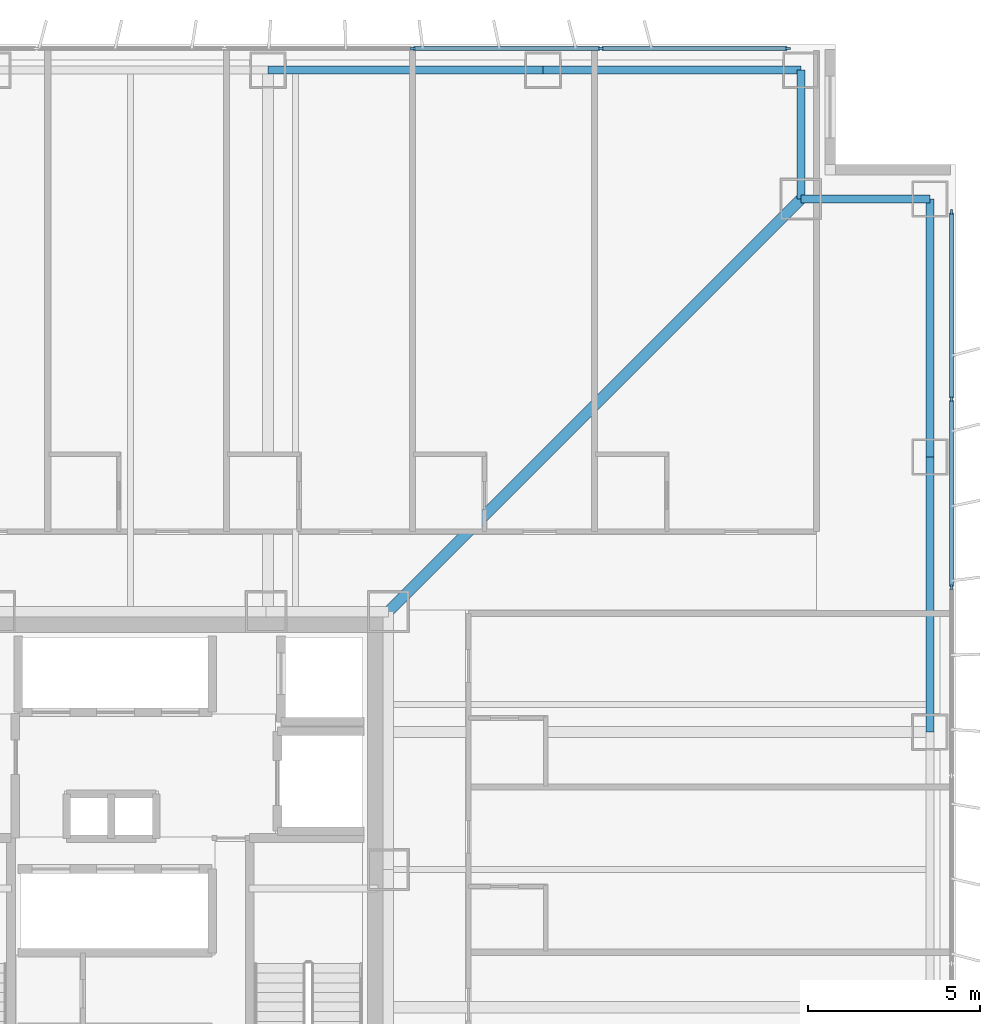
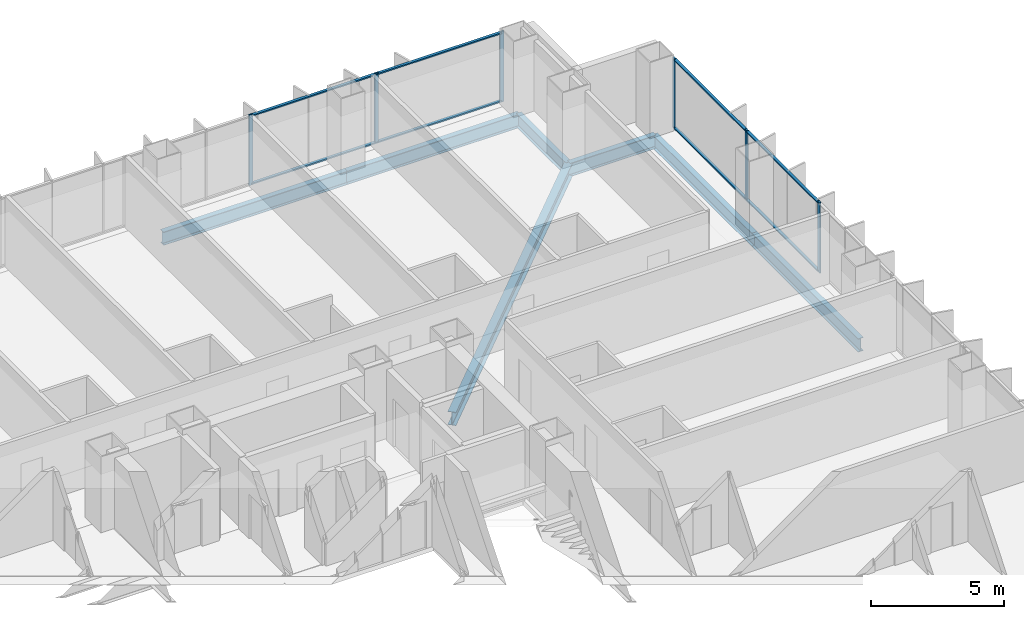
# One storey, part 9 of 17: 14 members, 7 beams, 2 elements without a shape of their own.
"""IFC4 building model written with IfcOpenShell, lengths in metres."""

from ifc_helpers import new_model, si_unit, direction, frame, origin, origin_2d, place, context, subcontext, project, spatial, rectangle, i_section, extrude, material, layer, layer_set, material_profile, profile_set, type_object, element, aggregate, save


model = new_model("IFC4")

# Units and contexts
model_context = context("Model", 3, precision=1e-05, world=origin(), true_north=direction((0.0, 1.0)))
body_context = subcontext(model_context, "Body", "Model", "MODEL_VIEW")
ifc_project = project(units=[si_unit("LENGTHUNIT", "METRE"), si_unit("AREAUNIT", "SQUARE_METRE"), si_unit("VOLUMEUNIT", "CUBIC_METRE"), si_unit("PLANEANGLEUNIT", "RADIAN"), si_unit("MASSUNIT", "GRAM", prefix="KILO")], contexts=[model_context])

# Site, building, storey
site_placement = place(None, origin())
site = spatial("IfcSite", under=ifc_project, at=site_placement, CompositionType="ELEMENT")
building_placement = place(site_placement, origin())
building = spatial("IfcBuilding", under=site, at=building_placement, Name="Trevonay Congress Spire", CompositionType="ELEMENT")
storey_placement = place(building_placement, frame((0.0, 0.0, 69.0)))
storey = spatial("IfcBuildingStorey", under=building, at=storey_placement, Name="L17", CompositionType="ELEMENT", Elevation=69.0)

# Beams
ifc_material_1 = material(Name="Steel ASTM A572 Grade 50", Category="steel")
ifc_material_profile_1 = material_profile(ifc_material_1, i_section(OverallWidth=0.324951171875, OverallDepth=0.615966796875, WebThickness=0.013916015625, FlangeThickness=0.021484375, FilletRadius=0.01806640625, at=origin_2d()), Name="W610x174")
ifc_profile_set_1 = profile_set([ifc_material_profile_1], Name="Steel ASTM A572 Grade 50")
beam_type_1 = type_object("IfcBeamType", Name="BM-GIRD-W610X174", PredefinedType="BEAM", material=ifc_profile_set_1)
beam_placement = place(storey_placement, frame((7.5, 7.5, -0.55810546875), z_axis=(0.707106781187, 0.707106781187, 0.0), x_axis=(-0.707106781187, 0.707106781187, 0.0)))
element("IfcBeam", 1, at=beam_placement, inside=storey, type_object=beam_type_1, Name="L17 structural beam BM-L17-CDNE", PredefinedType="BEAM", context=body_context, shape_type="SweptSolid", body=[
    extrude(i_section(OverallWidth=0.324951171875, OverallDepth=0.615966796875, WebThickness=0.013916015625, FlangeThickness=0.021484375, FilletRadius=0.01806640625, at=origin_2d()), origin(), (0.0, 0.0, 1.0), 16.970458984375),
])
ifc_material_profile_2 = material_profile(ifc_material_1, i_section(OverallWidth=0.22998046875, OverallDepth=0.616943359375, WebThickness=0.01318359375, FlangeThickness=0.022216796875, FilletRadius=0.01611328125, at=origin_2d()), Name="W610x140")
ifc_profile_set_2 = profile_set([ifc_material_profile_2], Name="Steel ASTM A572 Grade 50")
beam_type_2 = type_object("IfcBeamType", Name="BM-RING-W610X140", PredefinedType="BEAM", material=ifc_profile_set_2)
for number, where, z_axis, x_axis, name in (
    (2, (4.0, 23.25, -0.55859375), (1.0, 0.0, 0.0), (0.0, 1.0, 0.0), "L17 structural beam BM-L17-PN4"),
    (3, (23.25, 4.0, -0.55859375), (0.0, 1.0, 0.0), (-1.0, 0.0, 0.0), "L17 structural beam BM-L17-PE4"),
):
    element("IfcBeam", number, at=place(storey_placement, frame(where, z_axis=z_axis, x_axis=x_axis)), inside=storey, type_object=beam_type_2, Name=name, PredefinedType="BEAM", context=body_context, shape_type="SweptSolid", body=[
        extrude(i_section(OverallWidth=0.22998046875, OverallDepth=0.616943359375, WebThickness=0.01318359375, FlangeThickness=0.022216796875, FilletRadius=0.01611328125, at=origin_2d()), origin(), (0.0, 0.0, 1.0), 8.0),
    ])
for number, where, z_axis, x_axis, name in (
    (4, (12.0, 23.25, -0.55859375), (1.0, 0.0, 0.0), (0.0, 1.0, 0.0), "L17 structural beam BM-L17-PN5"),
    (5, (23.25, 12.0, -0.55859375), (0.0, 1.0, 0.0), (-1.0, 0.0, 0.0), "L17 structural beam BM-L17-PE5"),
):
    element("IfcBeam", number, at=place(storey_placement, frame(where, z_axis=z_axis, x_axis=x_axis)), inside=storey, type_object=beam_type_2, Name=name, PredefinedType="BEAM", context=body_context, shape_type="SweptSolid", body=[
        extrude(i_section(OverallWidth=0.22998046875, OverallDepth=0.616943359375, WebThickness=0.01318359375, FlangeThickness=0.022216796875, FilletRadius=0.01611328125, at=origin_2d()), origin(), (0.0, 0.0, 1.0), 7.5),
    ])
for number, where, z_axis, x_axis, name in (
    (6, (19.5, 23.25, -0.55859375), (0.0, -1.0, 0.0), (1.0, 0.0, 0.0), "L17 structural beam BM-L17-N1NE"),
    (7, (23.25, 19.5, -0.55859375), (-1.0, 0.0, 0.0), (0.0, -1.0, 0.0), "L17 structural beam BM-L17-N2NE"),
):
    element("IfcBeam", number, at=place(storey_placement, frame(where, z_axis=z_axis, x_axis=x_axis)), inside=storey, type_object=beam_type_2, Name=name, PredefinedType="BEAM", context=body_context, shape_type="SweptSolid", body=[
        extrude(i_section(OverallWidth=0.22998046875, OverallDepth=0.616943359375, WebThickness=0.01318359375, FlangeThickness=0.022216796875, FilletRadius=0.01611328125, at=origin_2d()), origin(), (0.0, 0.0, 1.0), 3.75),
    ])

# Curtain wall, members
ifc_material_2 = material(Name="Pale Anodised Aluminium EN AW-6063-T6", Category="aluminium")
ifc_layer = layer(ifc_material_2, 0.179931640625, Name="Pale Anodised Aluminium EN AW-6063-T6")
ifc_layer_set = layer_set([ifc_layer], Name="Pale Anodised Aluminium EN AW-6063-T6")
curtain_wall_type = type_object("IfcCurtainWallType", Name="CW-SYS02-HOTEL-PALE-METAL", PredefinedType="NOTDEFINED", material=ifc_layer_set)
curtain_wall_1_placement = place(storey_placement, origin())
curtain_wall_1 = element("IfcCurtainWall", 8, at=curtain_wall_1_placement, inside=storey, type_object=curtain_wall_type, Name="L17 N unitised curtain wall", PredefinedType="NOTDEFINED")
ifc_material_profile_3 = material_profile(ifc_material_2, rectangle(XDim=0.06005859375, YDim=0.159912109375, at=origin_2d()), Name="CW-MULLION-160-ALUMINIUM")
ifc_profile_set_3 = profile_set([ifc_material_profile_3], Name="Pale Anodised Aluminium EN AW-6063-T6")
member_type_1 = type_object("IfcMemberType", Name="CW-MULLION-160-ALUMINIUM", PredefinedType="MULLION", material=ifc_profile_set_3)
member_1_placement = place(storey_placement, frame((8.20703125, 23.8798828125, 0.0), z_axis=(0.0, 0.0, 1.0), x_axis=(0.0, 1.0, 0.0)))
member_1 = element("IfcMember", 9, at=member_1_placement, type_object=member_type_1, Name="CW02 mullion 6", PredefinedType="MULLION", context=body_context, shape_type="SweptSolid", body=[
    extrude(rectangle(XDim=0.06005859375, YDim=0.159912109375, at=origin_2d()), origin(), (0.0, 0.0, 1.0), 3.25),
])
member_2_placement = place(storey_placement, frame((13.678466796875, 23.8798828125, 0.0), z_axis=(0.0, 0.0, 1.0), x_axis=(0.0, 1.0, 0.0)))
member_2 = element("IfcMember", 10, at=member_2_placement, type_object=member_type_1, Name="CW02 mullion 7", PredefinedType="MULLION", context=body_context, shape_type="SweptSolid", body=[
    extrude(rectangle(XDim=0.06005859375, YDim=0.159912109375, at=origin_2d()), origin(), (0.0, 0.0, 1.0), 3.25),
])
member_3_placement = place(storey_placement, frame((19.1201171875, 23.8798828125, 0.0), z_axis=(0.0, 0.0, 1.0), x_axis=(0.0, 1.0, 0.0)))
member_3 = element("IfcMember", 11, at=member_3_placement, type_object=member_type_1, Name="CW02 mullion 8", PredefinedType="MULLION", context=body_context, shape_type="SweptSolid", body=[
    extrude(rectangle(XDim=0.06005859375, YDim=0.159912109375, at=origin_2d()), origin(), (0.0, 0.0, 1.0), 3.25),
])

curtain_wall_2_placement = place(storey_placement, origin())
curtain_wall_2 = element("IfcCurtainWall", 12, at=curtain_wall_2_placement, inside=storey, type_object=curtain_wall_type, Name="L17 E unitised curtain wall", PredefinedType="NOTDEFINED")
member_4_placement = place(storey_placement, frame((23.8798828125, 8.20703125, 0.0), z_axis=(0.0, 0.0, 1.0), x_axis=(-1.0, 0.0, 0.0)))
member_4 = element("IfcMember", 13, at=member_4_placement, type_object=member_type_1, Name="CW02 mullion 6", PredefinedType="MULLION", context=body_context, shape_type="SweptSolid", body=[
    extrude(rectangle(XDim=0.06005859375, YDim=0.159912109375, at=origin_2d()), origin(), (0.0, 0.0, 1.0), 3.25),
])
member_5_placement = place(storey_placement, frame((23.8798828125, 13.678466796875, 0.0), z_axis=(0.0, 0.0, 1.0), x_axis=(-1.0, 0.0, 0.0)))
member_5 = element("IfcMember", 14, at=member_5_placement, type_object=member_type_1, Name="CW02 mullion 7", PredefinedType="MULLION", context=body_context, shape_type="SweptSolid", body=[
    extrude(rectangle(XDim=0.06005859375, YDim=0.159912109375, at=origin_2d()), origin(), (0.0, 0.0, 1.0), 3.25),
])
member_6_placement = place(storey_placement, frame((23.8798828125, 19.1201171875, 0.0), z_axis=(0.0, 0.0, 1.0), x_axis=(-1.0, 0.0, 0.0)))
member_6 = element("IfcMember", 15, at=member_6_placement, type_object=member_type_1, Name="CW02 mullion 8", PredefinedType="MULLION", context=body_context, shape_type="SweptSolid", body=[
    extrude(rectangle(XDim=0.06005859375, YDim=0.159912109375, at=origin_2d()), origin(), (0.0, 0.0, 1.0), 3.25),
])

# Member
ifc_material_profile_4 = material_profile(ifc_material_2, rectangle(XDim=0.1201171875, YDim=0.06005859375, at=origin_2d()), Name="CW-TRANSOM-120-ALUMINIUM")
ifc_profile_set_4 = profile_set([ifc_material_profile_4], Name="Pale Anodised Aluminium EN AW-6063-T6")
member_type_2 = type_object("IfcMemberType", Name="CW-TRANSOM-120-ALUMINIUM", PredefinedType="USERDEFINED", material=ifc_profile_set_4)
member_7_placement = place(storey_placement, frame((8.237060546875, 23.8798828125, 0.06005859375), z_axis=(1.0, 0.0, 0.0), x_axis=(0.0, 1.0, 0.0)))
member_7 = element("IfcMember", 16, at=member_7_placement, type_object=member_type_2, Name="CW02 transom 6.1", ObjectType="TRANSOM", PredefinedType="USERDEFINED", context=body_context, shape_type="SweptSolid", body=[
    extrude(rectangle(XDim=0.1201171875, YDim=0.06005859375, at=origin_2d()), origin(), (0.0, 0.0, 1.0), 5.41162109375),
])

member_8_placement = place(storey_placement, frame((8.237060546875, 23.8798828125, 3.18994140625), z_axis=(1.0, 0.0, 0.0), x_axis=(0.0, 1.0, 0.0)))
member_8 = element("IfcMember", 17, at=member_8_placement, type_object=member_type_2, Name="CW02 transom 6.2", ObjectType="TRANSOM", PredefinedType="USERDEFINED", context=body_context, shape_type="SweptSolid", body=[
    extrude(rectangle(XDim=0.1201171875, YDim=0.06005859375, at=origin_2d()), origin(), (0.0, 0.0, 1.0), 5.41162109375),
])

member_9_placement = place(storey_placement, frame((13.70849609375, 23.8798828125, 0.06005859375), z_axis=(1.0, 0.0, 0.0), x_axis=(0.0, 1.0, 0.0)))
member_9 = element("IfcMember", 18, at=member_9_placement, type_object=member_type_2, Name="CW02 transom 7.1", ObjectType="TRANSOM", PredefinedType="USERDEFINED", context=body_context, shape_type="SweptSolid", body=[
    extrude(rectangle(XDim=0.1201171875, YDim=0.06005859375, at=origin_2d()), origin(), (0.0, 0.0, 1.0), 5.381591796875),
])

member_10_placement = place(storey_placement, frame((13.70849609375, 23.8798828125, 3.18994140625), z_axis=(1.0, 0.0, 0.0), x_axis=(0.0, 1.0, 0.0)))
member_10 = element("IfcMember", 19, at=member_10_placement, type_object=member_type_2, Name="CW02 transom 7.2", ObjectType="TRANSOM", PredefinedType="USERDEFINED", context=body_context, shape_type="SweptSolid", body=[
    extrude(rectangle(XDim=0.1201171875, YDim=0.06005859375, at=origin_2d()), origin(), (0.0, 0.0, 1.0), 5.381591796875),
])

aggregate(curtain_wall_1, [member_1, member_2, member_3, member_7, member_8, member_9, member_10])

member_11_placement = place(storey_placement, frame((23.8798828125, 8.237060546875, 0.06005859375), z_axis=(0.0, 1.0, 0.0), x_axis=(-1.0, 0.0, 0.0)))
member_11 = element("IfcMember", 20, at=member_11_placement, type_object=member_type_2, Name="CW02 transom 6.1", ObjectType="TRANSOM", PredefinedType="USERDEFINED", context=body_context, shape_type="SweptSolid", body=[
    extrude(rectangle(XDim=0.1201171875, YDim=0.06005859375, at=origin_2d()), origin(), (0.0, 0.0, 1.0), 5.41162109375),
])

member_12_placement = place(storey_placement, frame((23.8798828125, 8.237060546875, 3.18994140625), z_axis=(0.0, 1.0, 0.0), x_axis=(-1.0, 0.0, 0.0)))
member_12 = element("IfcMember", 21, at=member_12_placement, type_object=member_type_2, Name="CW02 transom 6.2", ObjectType="TRANSOM", PredefinedType="USERDEFINED", context=body_context, shape_type="SweptSolid", body=[
    extrude(rectangle(XDim=0.1201171875, YDim=0.06005859375, at=origin_2d()), origin(), (0.0, 0.0, 1.0), 5.41162109375),
])

member_13_placement = place(storey_placement, frame((23.8798828125, 13.70849609375, 0.06005859375), z_axis=(0.0, 1.0, 0.0), x_axis=(-1.0, 0.0, 0.0)))
member_13 = element("IfcMember", 22, at=member_13_placement, type_object=member_type_2, Name="CW02 transom 7.1", ObjectType="TRANSOM", PredefinedType="USERDEFINED", context=body_context, shape_type="SweptSolid", body=[
    extrude(rectangle(XDim=0.1201171875, YDim=0.06005859375, at=origin_2d()), origin(), (0.0, 0.0, 1.0), 5.381591796875),
])

member_14_placement = place(storey_placement, frame((23.8798828125, 13.70849609375, 3.18994140625), z_axis=(0.0, 1.0, 0.0), x_axis=(-1.0, 0.0, 0.0)))
member_14 = element("IfcMember", 23, at=member_14_placement, type_object=member_type_2, Name="CW02 transom 7.2", ObjectType="TRANSOM", PredefinedType="USERDEFINED", context=body_context, shape_type="SweptSolid", body=[
    extrude(rectangle(XDim=0.1201171875, YDim=0.06005859375, at=origin_2d()), origin(), (0.0, 0.0, 1.0), 5.381591796875),
])

aggregate(curtain_wall_2, [member_4, member_5, member_6, member_11, member_12, member_13, member_14])

save(model, "model.ifc")
